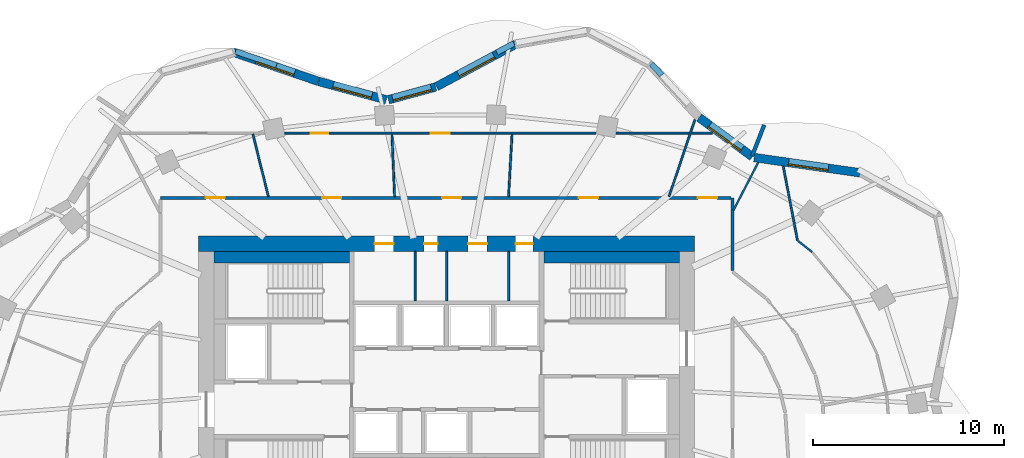
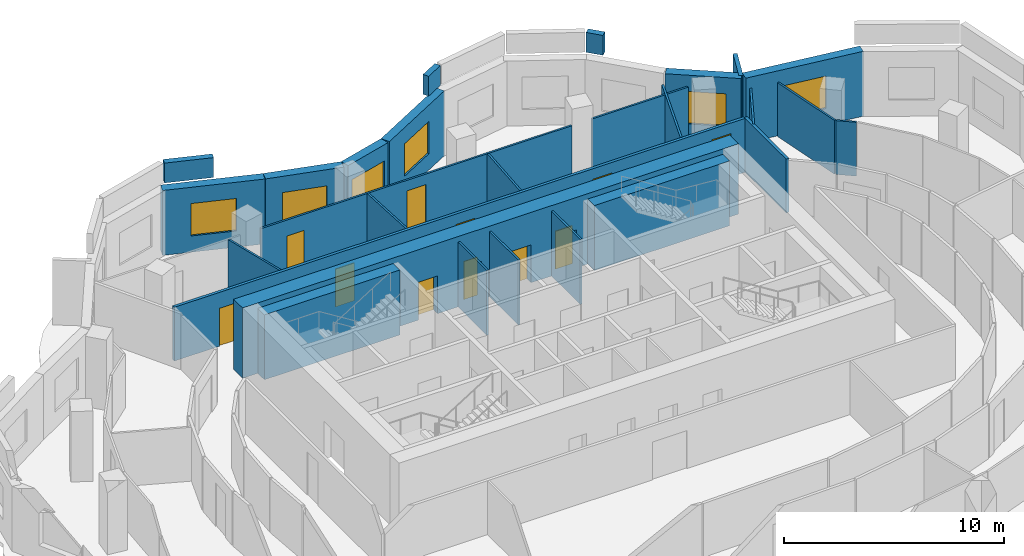
# One storey, part 8 of 10: 27 walls, 11 doors, 6 windows, 17 openings.
"""IFC4 building model written with IfcOpenShell, lengths in metres."""

from ifc_helpers import new_model, si_unit, direction, frame, frame_2d, origin, place, context, subcontext, project, spatial, rectangle, extrude, material, layer, layer_set, type_object, element, fill, save


model = new_model("IFC4")

# Units and contexts
model_context = context("Model", 3, precision=1e-05, world=origin(), true_north=direction((0.0, 1.0)))
body_context = subcontext(model_context, "Body", "Model", "MODEL_VIEW")
ifc_project = project(units=[si_unit("LENGTHUNIT", "METRE"), si_unit("AREAUNIT", "SQUARE_METRE"), si_unit("VOLUMEUNIT", "CUBIC_METRE"), si_unit("PLANEANGLEUNIT", "RADIAN"), si_unit("MASSUNIT", "GRAM", prefix="KILO")], contexts=[model_context])

# Site, building, storey
site_placement = place(None, origin())
site = spatial("IfcSite", under=ifc_project, at=site_placement, CompositionType="ELEMENT")
building_placement = place(site_placement, origin())
building = spatial("IfcBuilding", under=site, at=building_placement, Name="Rubra Terraces Tower", CompositionType="ELEMENT")
storey_placement = place(building_placement, frame((0.0, 0.0, 213.0)))
storey = spatial("IfcBuildingStorey", under=building, at=storey_placement, Name="L52", CompositionType="ELEMENT", Elevation=213.0)

# Wall, opening, window
ifc_material_1 = material(Name="Brick masonry red-brown", Category="masonry")
ifc_layer_1 = layer(ifc_material_1, 0.449951171875)
ifc_layer_set_1 = layer_set([ifc_layer_1], Name="Brick masonry red-brown")
wall_type_1 = type_object("IfcWallType", Name="Brick facade wall 450", PredefinedType="SOLIDWALL", material=ifc_layer_set_1)
wall_1_placement = place(storey_placement, frame((21.8251953125, 15.297119140625, 0.0), z_axis=(0.0, 0.0, 1.0), x_axis=(-0.98971474215, 0.143054986527, 0.0)))
wall_1 = element("IfcWall", 1, at=wall_1_placement, inside=storey, type_object=wall_type_1, Name="Facade wall L52 bay 5", PredefinedType="SOLIDWALL", context=body_context, shape_type="SweptSolid", body=[
    extrude(rectangle(XDim=5.7529296875, YDim=0.449951171875, at=frame_2d((2.87646484375, 0.0))), origin(), (0.0, 0.0, 1.0), 3.60009765625),
])
opening_1_placement = place(wall_1_placement, frame((1.826416015625, 0.0, 0.89990234375)))
opening_1 = element("IfcOpeningElement", 2, at=opening_1_placement, cuts=wall_1, Name="Opening W1Z", PredefinedType="OPENING", context=body_context, shape_type="SweptSolid", body=[
    extrude(rectangle(XDim=2.10009765625, YDim=1.800048828125, at=frame_2d((1.050048828125, 0.89990234375))), frame((0.0, 0.23486328125, 0.0), z_axis=(0.0, -1.0, 0.0), x_axis=(1.0, 0.0, 0.0)), (0.0, 0.0, 1.0), 0.469970703125),
])
ifc_material_2 = material(Name="Clear glass in aluminium frame", Category="aluminium")
window_type = type_object("IfcWindowType", Name="Fixed deep-set window under transfer level 2100 x 1800", PartitioningType="SINGLE_PANEL", PredefinedType="WINDOW", material=ifc_material_2)
window_1_placement = place(opening_1_placement, origin())
window_1 = element("IfcWindow", 3, at=window_1_placement, inside=storey, type_object=window_type, Name="Window L52 bay 5", OverallHeight=1.800048828125, OverallWidth=2.10009765625, PartitioningType="SINGLE_PANEL", PredefinedType="WINDOW", context=body_context, shape_type="SweptSolid", body=[
    extrude(rectangle(XDim=2.10009765625, YDim=1.800048828125, at=frame_2d((1.050048828125, 0.89990234375))), frame((0.0, 0.135009765625, 0.0), z_axis=(0.0, -1.0, 0.0), x_axis=(1.0, 0.0, 0.0)), (0.0, 0.0, 1.0), 0.06005859375),
])
fill(opening_1, window_1)

wall_2_placement = place(storey_placement, frame((16.03564453125, 16.15771484375, 0.0), z_axis=(0.0, 0.0, 1.0), x_axis=(-0.805181432967, 0.593028549064, 0.0)))
wall_2 = element("IfcWall", 4, at=wall_2_placement, inside=storey, type_object=wall_type_1, Name="Facade wall L52 bay 6", PredefinedType="SOLIDWALL", context=body_context, shape_type="SweptSolid", body=[
    extrude(rectangle(XDim=3.468505859375, YDim=0.449951171875, at=frame_2d((1.734375, 0.0))), origin(), (0.0, 0.0, 1.0), 3.60009765625),
])
opening_2_placement = place(wall_2_placement, frame((0.684326171875, 0.0, 0.89990234375)))
opening_2 = element("IfcOpeningElement", 5, at=opening_2_placement, cuts=wall_2, Name="Opening W1Z", PredefinedType="OPENING", context=body_context, shape_type="SweptSolid", body=[
    extrude(rectangle(XDim=2.10009765625, YDim=1.800048828125, at=frame_2d((1.050048828125, 0.89990234375))), frame((0.0, 0.23486328125, 0.0), z_axis=(0.0, -1.0, 0.0), x_axis=(1.0, 0.0, 0.0)), (0.0, 0.0, 1.0), 0.469970703125),
])
window_2_placement = place(opening_2_placement, origin())
window_2 = element("IfcWindow", 6, at=window_2_placement, inside=storey, type_object=window_type, Name="Window L52 bay 6", OverallHeight=1.800048828125, OverallWidth=2.10009765625, PartitioningType="SINGLE_PANEL", PredefinedType="WINDOW", context=body_context, shape_type="SweptSolid", body=[
    extrude(rectangle(XDim=2.10009765625, YDim=1.800048828125, at=frame_2d((1.050048828125, 0.89990234375))), frame((0.0, 0.135009765625, 0.0), z_axis=(0.0, -1.0, 0.0), x_axis=(1.0, 0.0, 0.0)), (0.0, 0.0, 1.0), 0.06005859375),
])
fill(opening_2, window_2)

wall_3_placement = place(storey_placement, frame((3.6455078125, 22.07861328125, 0.0), z_axis=(0.0, 0.0, 1.0), x_axis=(-0.881279133897, -0.472596115259, 0.0)))
wall_3 = element("IfcWall", 7, at=wall_3_placement, inside=storey, type_object=wall_type_1, Name="Facade wall L52 bay 10", PredefinedType="SOLIDWALL", context=body_context, shape_type="SweptSolid", body=[
    extrude(rectangle(XDim=4.736572265625, YDim=0.449951171875, at=frame_2d((2.3681640625, 0.0))), origin(), (0.0, 0.0, 1.0), 3.60009765625),
])
opening_3_placement = place(wall_3_placement, frame((1.318115234375, 0.0, 0.89990234375)))
opening_3 = element("IfcOpeningElement", 8, at=opening_3_placement, cuts=wall_3, Name="Opening W1Z", PredefinedType="OPENING", context=body_context, shape_type="SweptSolid", body=[
    extrude(rectangle(XDim=2.10009765625, YDim=1.800048828125, at=frame_2d((1.050048828125, 0.89990234375))), frame((0.0, 0.23486328125, 0.0), z_axis=(0.0, -1.0, 0.0), x_axis=(1.0, 0.0, 0.0)), (0.0, 0.0, 1.0), 0.469970703125),
])
window_3_placement = place(opening_3_placement, origin())
window_3 = element("IfcWindow", 9, at=window_3_placement, inside=storey, type_object=window_type, Name="Window L52 bay 10", OverallHeight=1.800048828125, OverallWidth=2.10009765625, PartitioningType="SINGLE_PANEL", PredefinedType="WINDOW", context=body_context, shape_type="SweptSolid", body=[
    extrude(rectangle(XDim=2.10009765625, YDim=1.800048828125, at=frame_2d((1.050048828125, 0.89990234375))), frame((0.0, 0.135009765625, 0.0), z_axis=(0.0, -1.0, 0.0), x_axis=(1.0, 0.0, 0.0)), (0.0, 0.0, 1.0), 0.06005859375),
])
fill(opening_3, window_3)

wall_4_placement = place(storey_placement, frame((-0.576171875, 19.8212890625, 0.0), z_axis=(0.0, 0.0, 1.0), x_axis=(-0.965009398019, -0.262215296532, 0.0)))
wall_4 = element("IfcWall", 10, at=wall_4_placement, inside=storey, type_object=wall_type_1, Name="Facade wall L52 bay 11", PredefinedType="SOLIDWALL", context=body_context, shape_type="SweptSolid", body=[
    extrude(rectangle(XDim=2.565185546875, YDim=0.449951171875, at=frame_2d((1.28271484375, 0.0))), origin(), (0.0, 0.0, 1.0), 3.60009765625),
])
opening_4_placement = place(wall_4_placement, frame((0.232666015625, 0.0, 0.89990234375)))
opening_4 = element("IfcOpeningElement", 11, at=opening_4_placement, cuts=wall_4, Name="Opening W1Z", PredefinedType="OPENING", context=body_context, shape_type="SweptSolid", body=[
    extrude(rectangle(XDim=2.10009765625, YDim=1.800048828125, at=frame_2d((1.050048828125, 0.89990234375))), frame((0.0, 0.23486328125, 0.0), z_axis=(0.0, -1.0, 0.0), x_axis=(1.0, 0.0, 0.0)), (0.0, 0.0, 1.0), 0.469970703125),
])
window_4_placement = place(opening_4_placement, origin())
window_4 = element("IfcWindow", 12, at=window_4_placement, inside=storey, type_object=window_type, Name="Window L52 bay 11", OverallHeight=1.800048828125, OverallWidth=2.10009765625, PartitioningType="SINGLE_PANEL", PredefinedType="WINDOW", context=body_context, shape_type="SweptSolid", body=[
    extrude(rectangle(XDim=2.10009765625, YDim=1.800048828125, at=frame_2d((1.050048828125, 0.89990234375))), frame((0.0, 0.135009765625, 0.0), z_axis=(0.0, -1.0, 0.0), x_axis=(1.0, 0.0, 0.0)), (0.0, 0.0, 1.0), 0.06005859375),
])
fill(opening_4, window_4)

wall_5_placement = place(storey_placement, frame((-3.164306640625, 19.147216796875, 0.0), z_axis=(0.0, 0.0, 1.0), x_axis=(-0.965039479998, 0.262104563191, 0.0)))
wall_5 = element("IfcWall", 13, at=wall_5_placement, inside=storey, type_object=wall_type_1, Name="Facade wall L52 bay 12", PredefinedType="SOLIDWALL", context=body_context, shape_type="SweptSolid", body=[
    extrude(rectangle(XDim=3.671875, YDim=0.449951171875, at=frame_2d((1.8359375, 0.0))), origin(), (0.0, 0.0, 1.0), 3.60009765625),
])
opening_5_placement = place(wall_5_placement, frame((0.785888671875, 0.0, 0.89990234375)))
opening_5 = element("IfcOpeningElement", 14, at=opening_5_placement, cuts=wall_5, Name="Opening W1Z", PredefinedType="OPENING", context=body_context, shape_type="SweptSolid", body=[
    extrude(rectangle(XDim=2.10009765625, YDim=1.800048828125, at=frame_2d((1.050048828125, 0.89990234375))), frame((0.0, 0.23486328125, 0.0), z_axis=(0.0, -1.0, 0.0), x_axis=(1.0, 0.0, 0.0)), (0.0, 0.0, 1.0), 0.469970703125),
])
window_5_placement = place(opening_5_placement, origin())
window_5 = element("IfcWindow", 15, at=window_5_placement, inside=storey, type_object=window_type, Name="Window L52 bay 12", OverallHeight=1.800048828125, OverallWidth=2.10009765625, PartitioningType="SINGLE_PANEL", PredefinedType="WINDOW", context=body_context, shape_type="SweptSolid", body=[
    extrude(rectangle(XDim=2.10009765625, YDim=1.800048828125, at=frame_2d((1.050048828125, 0.89990234375))), frame((0.0, 0.135009765625, 0.0), z_axis=(0.0, -1.0, 0.0), x_axis=(1.0, 0.0, 0.0)), (0.0, 0.0, 1.0), 0.06005859375),
])
fill(opening_5, window_5)

wall_6_placement = place(storey_placement, frame((-6.722900390625, 20.114013671875, 0.0), z_axis=(0.0, 0.0, 1.0), x_axis=(-0.945947299026, 0.324320377815, 0.0)))
wall_6 = element("IfcWall", 16, at=wall_6_placement, inside=storey, type_object=wall_type_1, Name="Facade wall L52 bay 13", PredefinedType="SOLIDWALL", context=body_context, shape_type="SweptSolid", body=[
    extrude(rectangle(XDim=4.74462890625, YDim=0.449951171875, at=frame_2d((2.372314453125, 0.0))), origin(), (0.0, 0.0, 1.0), 3.60009765625),
])
opening_6_placement = place(wall_6_placement, frame((1.322265625, 0.0, 0.89990234375)))
opening_6 = element("IfcOpeningElement", 17, at=opening_6_placement, cuts=wall_6, Name="Opening W1Z", PredefinedType="OPENING", context=body_context, shape_type="SweptSolid", body=[
    extrude(rectangle(XDim=2.10009765625, YDim=1.800048828125, at=frame_2d((1.050048828125, 0.89990234375))), frame((0.0, 0.23486328125, 0.0), z_axis=(0.0, -1.0, 0.0), x_axis=(1.0, 0.0, 0.0)), (0.0, 0.0, 1.0), 0.469970703125),
])
window_6_placement = place(opening_6_placement, origin())
window_6 = element("IfcWindow", 18, at=window_6_placement, inside=storey, type_object=window_type, Name="Window L52 bay 13", OverallHeight=1.800048828125, OverallWidth=2.10009765625, PartitioningType="SINGLE_PANEL", PredefinedType="WINDOW", context=body_context, shape_type="SweptSolid", body=[
    extrude(rectangle(XDim=2.10009765625, YDim=1.800048828125, at=frame_2d((1.050048828125, 0.89990234375))), frame((0.0, 0.135009765625, 0.0), z_axis=(0.0, -1.0, 0.0), x_axis=(1.0, 0.0, 0.0)), (0.0, 0.0, 1.0), 0.06005859375),
])
fill(opening_6, window_6)

# Walls
ifc_layer_2 = layer(ifc_material_1, 0.300048828125)
ifc_layer_set_2 = layer_set([ifc_layer_2], Name="Brick masonry red-brown")
wall_type_2 = type_object("IfcWallType", Name="Brick parapet 300", PredefinedType="PARAPET", material=ifc_layer_set_2)
wall_7_placement = place(storey_placement, frame((11.286865234375, 20.440185546875, 3.89990234375), z_axis=(0.0, 0.0, 1.0), x_axis=(-0.67762296798, 0.735409486793, 0.0)))
element("IfcWall", 19, at=wall_7_placement, inside=storey, type_object=wall_type_2, Name="Parapet L52 bay 7", PredefinedType="PARAPET", context=body_context, shape_type="SweptSolid", body=[
    extrude(rectangle(XDim=0.802734375, YDim=0.300048828125, at=frame_2d((0.4013671875, 0.0))), origin(), (0.0, 0.0, 1.0), 1.10009765625),
])
wall_8_placement = place(storey_placement, frame((3.52978515625, 22.105712890625, 3.89990234375), z_axis=(0.0, 0.0, 1.0), x_axis=(-0.881284245626, -0.472586582979, 0.0)))
element("IfcWall", 20, at=wall_8_placement, inside=storey, type_object=wall_type_2, Name="Parapet L52 bay 10", PredefinedType="PARAPET", context=body_context, shape_type="SweptSolid", body=[
    extrude(rectangle(XDim=1.020263671875, YDim=0.300048828125, at=frame_2d((0.51025390625, 0.0))), origin(), (0.0, 0.0, 1.0), 1.10009765625),
])
wall_9_placement = place(storey_placement, frame((-8.9228515625, 20.947509765625, 3.89990234375), z_axis=(0.0, 0.0, 1.0), x_axis=(-0.945944064447, 0.324329811976, 0.0)))
element("IfcWall", 21, at=wall_9_placement, inside=storey, type_object=wall_type_2, Name="Parapet L52 bay 13", PredefinedType="PARAPET", context=body_context, shape_type="SweptSolid", body=[
    extrude(rectangle(XDim=2.27490234375, YDim=0.300048828125, at=frame_2d((1.137451171875, 0.0))), origin(), (0.0, 0.0, 1.0), 1.10009765625),
])
ifc_layer_3 = layer(ifc_material_1, 0.199951171875)
ifc_layer_set_3 = layer_set([ifc_layer_3], Name="Brick masonry red-brown")
wall_type_3 = type_object("IfcWallType", Name="Brick wind fin 200", PredefinedType="SOLIDWALL", material=ifc_layer_set_3)
wall_10_placement = place(storey_placement, frame((16.01904296875, 16.195068359375, 0.0), z_axis=(0.0, 0.0, 1.0), x_axis=(0.362641522028, 0.931928713208, 0.0)))
element("IfcWall", 22, at=wall_10_placement, inside=storey, type_object=wall_type_3, Name="Wind fin L52 4", PredefinedType="SOLIDWALL", context=body_context, shape_type="SweptSolid", body=[
    extrude(rectangle(XDim=1.749755859375, YDim=0.199951171875, at=frame_2d((0.875, 0.0))), origin(), (0.0, 0.0, 1.0), 3.60009765625),
])

# Wall, openings, doors
ifc_material_3 = material(Name="Concrete C50", Category="concrete")
ifc_layer_4 = layer(ifc_material_3, 0.800048828125)
ifc_layer_set_4 = layer_set([ifc_layer_4], Name="Concrete C50")
wall_type_4 = type_object("IfcWallType", Name="CORE WALL 800 C50", PredefinedType="SHEAR", material=ifc_layer_set_4)
wall_11_placement = place(storey_placement, frame((-13.0, 11.60009765625, 0.0), z_axis=(0.0, 0.0, 1.0), x_axis=(1.0, 0.0, 0.0)))
wall_11 = element("IfcWall", 23, at=wall_11_placement, inside=storey, type_object=wall_type_4, Name="CORE WALL N L52", PredefinedType="SHEAR", context=body_context, shape_type="SweptSolid", body=[
    extrude(rectangle(XDim=26.0, YDim=0.800048828125, at=frame_2d((13.0, 0.0))), origin(), (0.0, 0.0, 1.0), 3.89990234375),
])
opening_7_placement = place(wall_11_placement, frame((9.22509765625, 0.0, 0.0)))
opening_7 = element("IfcOpeningElement", 24, at=opening_7_placement, cuts=wall_11, Name="Opening L52.C25", PredefinedType="OPENING", context=body_context, shape_type="SweptSolid", body=[
    extrude(rectangle(XDim=1.0, YDim=2.10009765625, at=frame_2d((0.5, 1.050048828125))), frame((0.0, 0.409912109375, 0.0), z_axis=(0.0, -1.0, 0.0), x_axis=(1.0, 0.0, 0.0)), (0.0, 0.0, 1.0), 0.820068359375),
])
opening_8_placement = place(wall_11_placement, frame((11.824951171875, 0.0, 0.0)))
opening_8 = element("IfcOpeningElement", 25, at=opening_8_placement, cuts=wall_11, Name="Opening L52.C26", PredefinedType="OPENING", context=body_context, shape_type="SweptSolid", body=[
    extrude(rectangle(XDim=0.699951171875, YDim=2.10009765625, at=frame_2d((0.35009765625, 1.050048828125))), frame((0.0, 0.409912109375, 0.0), z_axis=(0.0, -1.0, 0.0), x_axis=(1.0, 0.0, 0.0)), (0.0, 0.0, 1.0), 0.820068359375),
])
opening_9_placement = place(wall_11_placement, frame((14.125, 0.0, 0.0)))
opening_9 = element("IfcOpeningElement", 26, at=opening_9_placement, cuts=wall_11, Name="Opening L52.C27", PredefinedType="OPENING", context=body_context, shape_type="SweptSolid", body=[
    extrude(rectangle(XDim=1.0, YDim=2.10009765625, at=frame_2d((0.5, 1.050048828125))), frame((0.0, 0.409912109375, 0.0), z_axis=(0.0, -1.0, 0.0), x_axis=(1.0, 0.0, 0.0)), (0.0, 0.0, 1.0), 0.820068359375),
])
opening_10_placement = place(wall_11_placement, frame((16.625, 0.0, 0.0)))
opening_10 = element("IfcOpeningElement", 27, at=opening_10_placement, cuts=wall_11, Name="Opening L52.C28", PredefinedType="OPENING", context=body_context, shape_type="SweptSolid", body=[
    extrude(rectangle(XDim=0.89990234375, YDim=2.10009765625, at=frame_2d((0.449951171875, 1.050048828125))), frame((0.0, 0.409912109375, 0.0), z_axis=(0.0, -1.0, 0.0), x_axis=(1.0, 0.0, 0.0)), (0.0, 0.0, 1.0), 0.820068359375),
])
ifc_material_4 = material(Name="Painted steel", Category="steel")
door_type_1 = type_object("IfcDoorType", Name="Fire door 1000x2100 single", OperationType="NOTDEFINED", PredefinedType="DOOR", material=ifc_material_4)
door_1_placement = place(opening_7_placement, origin())
door_1 = element("IfcDoor", 28, at=door_1_placement, inside=storey, type_object=door_type_1, Name="Guest pantry door", OperationType="SINGLE_SWING_LEFT", OverallHeight=2.10009765625, OverallWidth=1.0, PredefinedType="DOOR", context=body_context, shape_type="SweptSolid", body=[
    extrude(rectangle(XDim=1.0, YDim=2.10009765625, at=frame_2d((0.5, 1.050048828125))), frame((0.0, 0.02490234375, 0.0), z_axis=(0.0, -1.0, 0.0), x_axis=(1.0, 0.0, 0.0)), (0.0, 0.0, 1.0), 0.050048828125),
])
fill(opening_7, door_1)
door_2_placement = place(opening_9_placement, origin())
door_2 = element("IfcDoor", 29, at=door_2_placement, inside=storey, type_object=door_type_1, Name="Security and building control room door", OperationType="SINGLE_SWING_LEFT", OverallHeight=2.10009765625, OverallWidth=1.0, PredefinedType="DOOR", context=body_context, shape_type="SweptSolid", body=[
    extrude(rectangle(XDim=1.0, YDim=2.10009765625, at=frame_2d((0.5, 1.050048828125))), frame((0.0, 0.02490234375, 0.0), z_axis=(0.0, -1.0, 0.0), x_axis=(1.0, 0.0, 0.0)), (0.0, 0.0, 1.0), 0.050048828125),
])
fill(opening_9, door_2)
door_type_2 = type_object("IfcDoorType", Name="Fire door 900x2100 single", OperationType="NOTDEFINED", PredefinedType="DOOR", material=ifc_material_4)
door_3_placement = place(opening_10_placement, origin())
door_3 = element("IfcDoor", 30, at=door_3_placement, inside=storey, type_object=door_type_2, Name="Cleaner's store door", OperationType="SINGLE_SWING_RIGHT", OverallHeight=2.10009765625, OverallWidth=0.89990234375, PredefinedType="DOOR", context=body_context, shape_type="SweptSolid", body=[
    extrude(rectangle(XDim=0.89990234375, YDim=2.10009765625, at=frame_2d((0.449951171875, 1.050048828125))), frame((0.0, 0.02490234375, 0.0), z_axis=(0.0, -1.0, 0.0), x_axis=(1.0, 0.0, 0.0)), (0.0, 0.0, 1.0), 0.050048828125),
])
fill(opening_10, door_3)
door_type_3 = type_object("IfcDoorType", Name="Riser access door 700x2100 single", OperationType="NOTDEFINED", PredefinedType="DOOR", material=ifc_material_4)
door_4_placement = place(opening_8_placement, origin())
door_4 = element("IfcDoor", 31, at=door_4_placement, inside=storey, type_object=door_type_3, Name="Electrical riser room door", OperationType="SINGLE_SWING_RIGHT", OverallHeight=2.10009765625, OverallWidth=0.699951171875, PredefinedType="DOOR", context=body_context, shape_type="SweptSolid", body=[
    extrude(rectangle(XDim=0.699951171875, YDim=2.10009765625, at=frame_2d((0.35009765625, 1.050048828125))), frame((0.0, 0.02490234375, 0.0), z_axis=(0.0, -1.0, 0.0), x_axis=(1.0, 0.0, 0.0)), (0.0, 0.0, 1.0), 0.050048828125),
])
fill(opening_8, door_4)

# Wall
ifc_material_5 = material(Name="Plasterboard on steel stud, mineral wool infill", Category="steel")
ifc_layer_5 = layer(ifc_material_5, 0.14990234375)
ifc_layer_set_5 = layer_set([ifc_layer_5], Name="Plasterboard on steel stud, mineral wool infill")
wall_type_5 = type_object("IfcWallType", Name="CORRIDOR PARTITION 150", PredefinedType="PARTITIONING", material=ifc_layer_set_5)
wall_12_placement = place(storey_placement, frame((15.0, 10.1962890625, 0.0), z_axis=(0.0, 0.0, 1.0), x_axis=(0.0, 1.0, 0.0)))
element("IfcWall", 32, at=wall_12_placement, inside=storey, type_object=wall_type_5, Name="PARTITION", PredefinedType="PARTITIONING", context=body_context, shape_type="SweptSolid", body=[
    extrude(rectangle(XDim=3.8037109375, YDim=0.14990234375, at=frame_2d((1.90185546875, 0.0))), origin(), (0.0, 0.0, 1.0), 2.98388671875),
])

# Wall, openings, doors
wall_13_placement = place(storey_placement, frame((14.925048828125, 14.0, 0.0), z_axis=(0.0, 0.0, 1.0), x_axis=(-1.0, 0.0, 0.0)))
wall_13 = element("IfcWall", 33, at=wall_13_placement, inside=storey, type_object=wall_type_5, Name="PARTITION", PredefinedType="PARTITIONING", context=body_context, shape_type="SweptSolid", body=[
    extrude(rectangle(XDim=29.925048828125, YDim=0.14990234375, at=frame_2d((14.96240234375, 0.0))), origin(), (0.0, 0.0, 1.0), 2.98388671875),
])
opening_11_placement = place(wall_13_placement, frame((0.742919921875, 0.0, 0.0)))
opening_11 = element("IfcOpeningElement", 34, at=opening_11_placement, cuts=wall_13, Name="Opening 52-111", PredefinedType="OPENING", context=body_context, shape_type="SweptSolid", body=[
    extrude(rectangle(XDim=1.0, YDim=2.39990234375, at=frame_2d((0.5, 1.199951171875))), frame((0.0, 0.0849609375, 0.0), z_axis=(0.0, -1.0, 0.0), x_axis=(1.0, 0.0, 0.0)), (0.0, 0.0, 1.0), 0.169921875),
])
opening_12_placement = place(wall_13_placement, frame((6.98388671875, 0.0, 0.0)))
opening_12 = element("IfcOpeningElement", 35, at=opening_12_placement, cuts=wall_13, Name="Opening 52-112", PredefinedType="OPENING", context=body_context, shape_type="SweptSolid", body=[
    extrude(rectangle(XDim=1.0, YDim=2.39990234375, at=frame_2d((0.5, 1.199951171875))), frame((0.0, 0.0849609375, 0.0), z_axis=(0.0, -1.0, 0.0), x_axis=(1.0, 0.0, 0.0)), (0.0, 0.0, 1.0), 0.169921875),
])
opening_13_placement = place(wall_13_placement, frame((14.166015625, 0.0, 0.0)))
opening_13 = element("IfcOpeningElement", 36, at=opening_13_placement, cuts=wall_13, Name="Opening 52-113", PredefinedType="OPENING", context=body_context, shape_type="SweptSolid", body=[
    extrude(rectangle(XDim=1.0, YDim=2.39990234375, at=frame_2d((0.5, 1.199951171875))), frame((0.0, 0.0849609375, 0.0), z_axis=(0.0, -1.0, 0.0), x_axis=(1.0, 0.0, 0.0)), (0.0, 0.0, 1.0), 0.169921875),
])
opening_14_placement = place(wall_13_placement, frame((20.449951171875, 0.0, 0.0)))
opening_14 = element("IfcOpeningElement", 37, at=opening_14_placement, cuts=wall_13, Name="Opening 52-123", PredefinedType="OPENING", context=body_context, shape_type="SweptSolid", body=[
    extrude(rectangle(XDim=1.0, YDim=2.10009765625, at=frame_2d((0.5, 1.050048828125))), frame((0.0, 0.0849609375, 0.0), z_axis=(0.0, -1.0, 0.0), x_axis=(1.0, 0.0, 0.0)), (0.0, 0.0, 1.0), 0.169921875),
])
opening_15_placement = place(wall_13_placement, frame((26.550048828125, 0.0, 0.0)))
opening_15 = element("IfcOpeningElement", 38, at=opening_15_placement, cuts=wall_13, Name="Opening 52-124", PredefinedType="OPENING", context=body_context, shape_type="SweptSolid", body=[
    extrude(rectangle(XDim=1.0, YDim=2.10009765625, at=frame_2d((0.5, 1.050048828125))), frame((0.0, 0.0849609375, 0.0), z_axis=(0.0, -1.0, 0.0), x_axis=(1.0, 0.0, 0.0)), (0.0, 0.0, 1.0), 0.169921875),
])
ifc_material_6 = material(Name="Glazed aluminium meeting door leaf", Category="aluminium")
door_type_4 = type_object("IfcDoorType", Name="MEETING ROOM GLAZED DOOR 1000 X 2400", OperationType="SINGLE_SWING_LEFT", PredefinedType="DOOR", material=ifc_material_6)
door_5_placement = place(opening_11_placement, origin())
door_5 = element("IfcDoor", 39, at=door_5_placement, inside=storey, type_object=door_type_4, Name="DOOR 52-111", OperationType="SINGLE_SWING_RIGHT", OverallHeight=2.39990234375, OverallWidth=1.0, PredefinedType="DOOR", context=body_context, shape_type="SweptSolid", body=[
    extrude(rectangle(XDim=1.0, YDim=2.39990234375, at=frame_2d((0.5, 1.199951171875))), frame((0.0, 0.02490234375, 0.0), z_axis=(0.0, -1.0, 0.0), x_axis=(1.0, 0.0, 0.0)), (0.0, 0.0, 1.0), 0.050048828125),
])
fill(opening_11, door_5)
door_6_placement = place(opening_12_placement, origin())
door_6 = element("IfcDoor", 40, at=door_6_placement, inside=storey, type_object=door_type_4, Name="DOOR 52-112", OperationType="SINGLE_SWING_RIGHT", OverallHeight=2.39990234375, OverallWidth=1.0, PredefinedType="DOOR", context=body_context, shape_type="SweptSolid", body=[
    extrude(rectangle(XDim=1.0, YDim=2.39990234375, at=frame_2d((0.5, 1.199951171875))), frame((0.0, 0.02490234375, 0.0), z_axis=(0.0, -1.0, 0.0), x_axis=(1.0, 0.0, 0.0)), (0.0, 0.0, 1.0), 0.050048828125),
])
fill(opening_12, door_6)
door_7_placement = place(opening_13_placement, origin())
door_7 = element("IfcDoor", 41, at=door_7_placement, inside=storey, type_object=door_type_4, Name="DOOR 52-113", OperationType="SINGLE_SWING_RIGHT", OverallHeight=2.39990234375, OverallWidth=1.0, PredefinedType="DOOR", context=body_context, shape_type="SweptSolid", body=[
    extrude(rectangle(XDim=1.0, YDim=2.39990234375, at=frame_2d((0.5, 1.199951171875))), frame((0.0, 0.02490234375, 0.0), z_axis=(0.0, -1.0, 0.0), x_axis=(1.0, 0.0, 0.0)), (0.0, 0.0, 1.0), 0.050048828125),
])
fill(opening_13, door_7)
ifc_material_7 = material(Name="Painted timber door leaf", Category="wood")
door_type_5 = type_object("IfcDoorType", Name="ROOM DOOR 1000 X 2100", OperationType="SINGLE_SWING_LEFT", PredefinedType="DOOR", material=ifc_material_7)
door_8_placement = place(opening_14_placement, origin())
door_8 = element("IfcDoor", 42, at=door_8_placement, inside=storey, type_object=door_type_5, Name="DOOR 52-123", OperationType="SINGLE_SWING_RIGHT", OverallHeight=2.10009765625, OverallWidth=1.0, PredefinedType="DOOR", context=body_context, shape_type="SweptSolid", body=[
    extrude(rectangle(XDim=1.0, YDim=2.10009765625, at=frame_2d((0.5, 1.050048828125))), frame((0.0, 0.02490234375, 0.0), z_axis=(0.0, -1.0, 0.0), x_axis=(1.0, 0.0, 0.0)), (0.0, 0.0, 1.0), 0.050048828125),
])
fill(opening_14, door_8)
door_9_placement = place(opening_15_placement, origin())
door_9 = element("IfcDoor", 43, at=door_9_placement, inside=storey, type_object=door_type_5, Name="DOOR 52-124", OperationType="SINGLE_SWING_RIGHT", OverallHeight=2.10009765625, OverallWidth=1.0, PredefinedType="DOOR", context=body_context, shape_type="SweptSolid", body=[
    extrude(rectangle(XDim=1.0, YDim=2.10009765625, at=frame_2d((0.5, 1.050048828125))), frame((0.0, 0.02490234375, 0.0), z_axis=(0.0, -1.0, 0.0), x_axis=(1.0, 0.0, 0.0)), (0.0, 0.0, 1.0), 0.050048828125),
])
fill(opening_15, door_9)

# Walls
ifc_material_8 = material(Name="Concrete C40", Category="concrete")
ifc_layer_6 = layer(ifc_material_8, 0.60009765625)
ifc_layer_set_6 = layer_set([ifc_layer_6], Name="Concrete C40")
wall_type_6 = type_object("IfcWallType", Name="Core lining wall 600 concrete", PredefinedType="SOLIDWALL", material=ifc_layer_set_6)
for number, where, z_axis, x_axis, name in (
    (44, (-12.199951171875, 10.89990234375, 0.0), (0.0, 0.0, 1.0), (1.0, 0.0, 0.0), "CORE LINING WALL L52"),
    (45, (12.199951171875, 10.89990234375, 0.0), (0.0, 0.0, 1.0), (-1.0, 0.0, 0.0), "CORE LINING WALL L52"),
):
    element("IfcWall", number, at=place(storey_placement, frame(where, z_axis=z_axis, x_axis=x_axis)), inside=storey, type_object=wall_type_6, Name=name, PredefinedType="SOLIDWALL", context=body_context, shape_type="SweptSolid", body=[
        extrude(rectangle(XDim=7.099853515625, YDim=0.60009765625, at=frame_2d((3.5498046875, 0.0))), origin(), (0.0, 0.0, 1.0), 3.60009765625),
    ])

# Wall, openings, doors
ifc_material_9 = material(Name="Plasterboard on steel stud", Category="steel")
ifc_layer_7 = layer(ifc_material_9, 0.10009765625)
ifc_layer_set_7 = layer_set([ifc_layer_7], Name="Plasterboard on steel stud")
wall_type_7 = type_object("IfcWallType", Name="ROOM PARTITION 100", PredefinedType="PARTITIONING", material=ifc_layer_set_7)
wall_14_placement = place(storey_placement, frame((-8.482666015625, 17.39990234375, 0.0), z_axis=(0.0, 0.0, 1.0), x_axis=(1.0, 0.0, 0.0)))
wall_14 = element("IfcWall", 46, at=wall_14_placement, inside=storey, type_object=wall_type_7, Name="PARTITION", PredefinedType="PARTITIONING", context=body_context, shape_type="SweptSolid", body=[
    extrude(rectangle(XDim=16.30712890625, YDim=0.10009765625, at=frame_2d((8.153564453125, 0.0))), origin(), (0.0, 0.0, 1.0), 2.98388671875),
])
opening_16_placement = place(wall_14_placement, frame((1.364013671875, 0.0, 0.0)))
opening_16 = element("IfcOpeningElement", 47, at=opening_16_placement, cuts=wall_14, Name="Opening 52-114", PredefinedType="OPENING", context=body_context, shape_type="SweptSolid", body=[
    extrude(rectangle(XDim=0.89990234375, YDim=2.10009765625, at=frame_2d((0.449951171875, 1.050048828125))), frame((0.0, 0.06005859375, 0.0), z_axis=(0.0, -1.0, 0.0), x_axis=(1.0, 0.0, 0.0)), (0.0, 0.0, 1.0), 0.1201171875),
])
opening_17_placement = place(wall_14_placement, frame((7.64990234375, 0.0, 0.0)))
opening_17 = element("IfcOpeningElement", 48, at=opening_17_placement, cuts=wall_14, Name="Opening 52-122", PredefinedType="OPENING", context=body_context, shape_type="SweptSolid", body=[
    extrude(rectangle(XDim=1.0, YDim=2.39990234375, at=frame_2d((0.5, 1.199951171875))), frame((0.0, 0.06005859375, 0.0), z_axis=(0.0, -1.0, 0.0), x_axis=(1.0, 0.0, 0.0)), (0.0, 0.0, 1.0), 0.1201171875),
])
door_10_placement = place(opening_17_placement, origin())
door_10 = element("IfcDoor", 49, at=door_10_placement, inside=storey, type_object=door_type_4, Name="DOOR 52-122", OperationType="SINGLE_SWING_LEFT", OverallHeight=2.39990234375, OverallWidth=1.0, PredefinedType="DOOR", context=body_context, shape_type="SweptSolid", body=[
    extrude(rectangle(XDim=1.0, YDim=2.39990234375, at=frame_2d((0.5, 1.199951171875))), frame((0.0, 0.02490234375, 0.0), z_axis=(0.0, -1.0, 0.0), x_axis=(1.0, 0.0, 0.0)), (0.0, 0.0, 1.0), 0.050048828125),
])
fill(opening_17, door_10)
door_type_6 = type_object("IfcDoorType", Name="ROOM DOOR 900 X 2100", OperationType="SINGLE_SWING_LEFT", PredefinedType="DOOR", material=ifc_material_7)
door_11_placement = place(opening_16_placement, origin())
door_11 = element("IfcDoor", 50, at=door_11_placement, inside=storey, type_object=door_type_6, Name="DOOR 52-114", OperationType="SINGLE_SWING_LEFT", OverallHeight=2.10009765625, OverallWidth=0.89990234375, PredefinedType="DOOR", context=body_context, shape_type="SweptSolid", body=[
    extrude(rectangle(XDim=0.89990234375, YDim=2.10009765625, at=frame_2d((0.449951171875, 1.050048828125))), frame((0.0, 0.02490234375, 0.0), z_axis=(0.0, -1.0, 0.0), x_axis=(1.0, 0.0, 0.0)), (0.0, 0.0, 1.0), 0.050048828125),
])
fill(opening_16, door_11)

# Walls
wall_15_placement = place(storey_placement, frame((8.8837890625, 17.39990234375, 0.0), z_axis=(0.0, 0.0, 1.0), x_axis=(1.0, 0.0, 0.0)))
element("IfcWall", 51, at=wall_15_placement, inside=storey, type_object=wall_type_7, Name="PARTITION", PredefinedType="PARTITIONING", context=body_context, shape_type="SweptSolid", body=[
    extrude(rectangle(XDim=5.05224609375, YDim=0.10009765625, at=frame_2d((2.526123046875, 0.0))), origin(), (0.0, 0.0, 1.0), 2.98388671875),
])
wall_16_placement = place(storey_placement, frame((17.656494140625, 15.652099609375, 0.0), z_axis=(0.0, 0.0, 1.0), x_axis=(0.188068467909, -0.982155920095, 0.0)))
element("IfcWall", 52, at=wall_16_placement, inside=storey, type_object=wall_type_7, Name="PARTITION", PredefinedType="PARTITIONING", context=body_context, shape_type="SweptSolid", body=[
    extrude(rectangle(XDim=3.952880859375, YDim=0.10009765625, at=frame_2d((1.9765625, 0.0))), origin(), (0.0, 0.0, 1.0), 2.98388671875),
])
wall_17_placement = place(storey_placement, frame((18.439208984375, 11.73876953125, 0.0), z_axis=(0.0, 0.0, 1.0), x_axis=(0.784976275707, -0.619525823979, 0.0)))
element("IfcWall", 53, at=wall_17_placement, inside=storey, type_object=wall_type_7, Name="PARTITION", PredefinedType="PARTITIONING", context=body_context, shape_type="SweptSolid", body=[
    extrude(rectangle(XDim=0.935546875, YDim=0.10009765625, at=frame_2d((0.4677734375, 0.0))), origin(), (0.0, 0.0, 1.0), 2.98388671875),
])
wall_18_placement = place(storey_placement, frame((15.034423828125, 13.34130859375, 0.0), z_axis=(0.0, 0.0, 1.0), x_axis=(0.460131451108, 0.887850802614, 0.0)))
element("IfcWall", 54, at=wall_18_placement, inside=storey, type_object=wall_type_7, Name="PARTITION", PredefinedType="PARTITIONING", context=body_context, shape_type="SweptSolid", body=[
    extrude(rectangle(XDim=2.839599609375, YDim=0.10009765625, at=frame_2d((1.419921875, 0.0))), origin(), (0.0, 0.0, 1.0), 2.98388671875),
])
wall_19_placement = place(storey_placement, frame((11.663818359375, 14.071044921875, 0.0), z_axis=(0.0, 0.0, 1.0), x_axis=(0.319050122348, 0.947737843198, 0.0)))
element("IfcWall", 55, at=wall_19_placement, inside=storey, type_object=wall_type_7, Name="PARTITION", PredefinedType="PARTITIONING", context=body_context, shape_type="SweptSolid", body=[
    extrude(rectangle(XDim=4.25390625, YDim=0.10009765625, at=frame_2d((2.126953125, 0.0))), origin(), (0.0, 0.0, 1.0), 2.98388671875),
])
wall_20_placement = place(storey_placement, frame((3.2470703125, 14.074951171875, 0.0), z_axis=(0.0, 0.0, 1.0), x_axis=(0.056636488477, 0.998394865859, 0.0)))
element("IfcWall", 56, at=wall_20_placement, inside=storey, type_object=wall_type_7, Name="PARTITION", PredefinedType="PARTITIONING", context=body_context, shape_type="SweptSolid", body=[
    extrude(rectangle(XDim=3.280517578125, YDim=0.10009765625, at=frame_2d((1.64013671875, 0.0))), origin(), (0.0, 0.0, 1.0), 2.98388671875),
])
wall_21_placement = place(storey_placement, frame((-2.728515625, 14.074951171875, 0.0), z_axis=(0.0, 0.0, 1.0), x_axis=(-0.042005382394, 0.99911738442, 0.0)))
element("IfcWall", 57, at=wall_21_placement, inside=storey, type_object=wall_type_7, Name="PARTITION", PredefinedType="PARTITIONING", context=body_context, shape_type="SweptSolid", body=[
    extrude(rectangle(XDim=3.278076171875, YDim=0.10009765625, at=frame_2d((1.63916015625, 0.0))), origin(), (0.0, 0.0, 1.0), 2.98388671875),
])
wall_22_placement = place(storey_placement, frame((-9.347412109375, 14.07275390625, 0.0), z_axis=(0.0, 0.0, 1.0), x_axis=(-0.239847329474, 0.970810619299, 0.0)))
element("IfcWall", 58, at=wall_22_placement, inside=storey, type_object=wall_type_7, Name="PARTITION", PredefinedType="PARTITIONING", context=body_context, shape_type="SweptSolid", body=[
    extrude(rectangle(XDim=3.37744140625, YDim=0.10009765625, at=frame_2d((1.688720703125, 0.0))), origin(), (0.0, 0.0, 1.0), 2.98388671875),
])
ifc_material_10 = material(Name="Blockwork", Category="masonry")
ifc_layer_8 = layer(ifc_material_10, 0.10009765625)
ifc_layer_set_8 = layer_set([ifc_layer_8], Name="Blockwork")
wall_type_8 = type_object("IfcWallType", Name="Service partition 100 blockwork", PredefinedType="PARTITIONING", material=ifc_layer_set_8)
for number, where, z_axis, x_axis, name in (
    (59, (-1.64990234375, 8.60009765625, 0.0), (0.0, 0.0, 1.0), (0.0, 1.0, 0.0), "SERVICE ROOM PARTITION L52"),
    (60, (0.0, 8.60009765625, 0.0), (0.0, 0.0, 1.0), (0.0, 1.0, 0.0), "SERVICE ROOM PARTITION L52"),
    (61, (3.25, 8.60009765625, 0.0), (0.0, 0.0, 1.0), (0.0, 1.0, 0.0), "SERVICE ROOM PARTITION L52"),
):
    element("IfcWall", number, at=place(storey_placement, frame(where, z_axis=z_axis, x_axis=x_axis)), inside=storey, type_object=wall_type_8, Name=name, PredefinedType="PARTITIONING", context=body_context, shape_type="SweptSolid", body=[
        extrude(rectangle(XDim=2.599853515625, YDim=0.10009765625, at=frame_2d((1.2998046875, 0.0))), origin(), (0.0, 0.0, 1.0), 3.60009765625),
    ])

save(model, "model.ifc")
